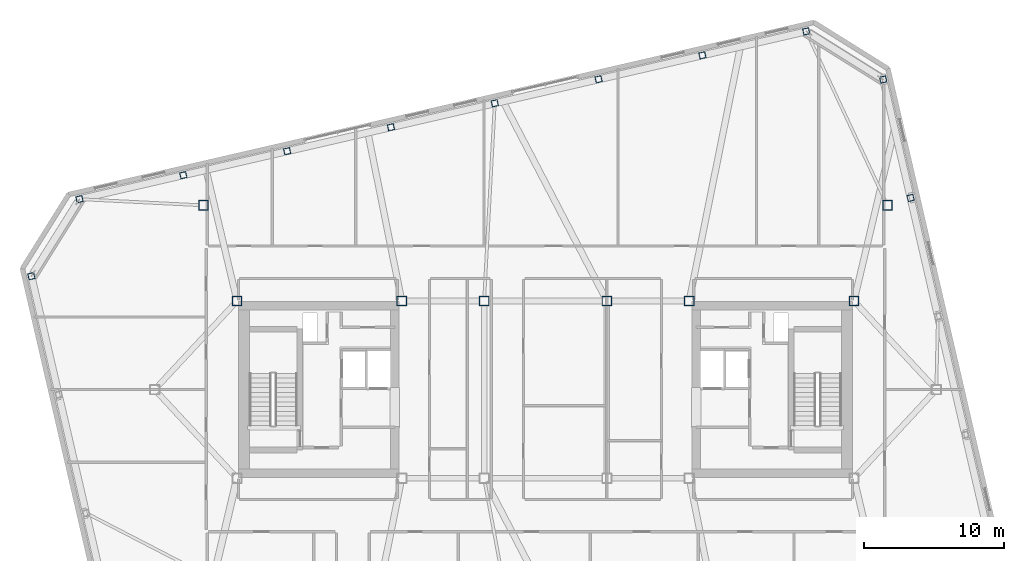
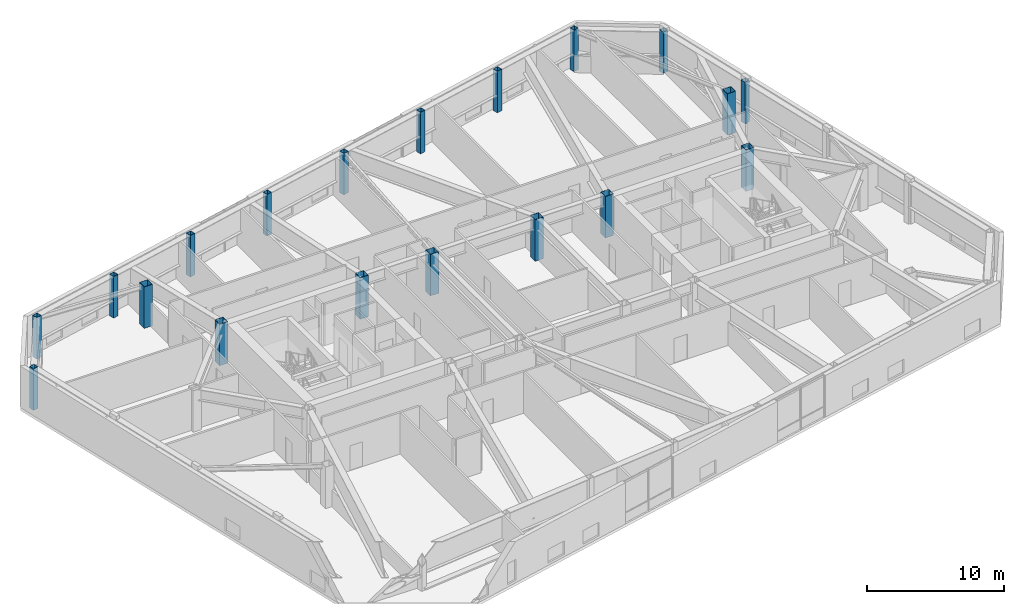
# One storey, part 2 of 23: 19 columns.
"""IFC4 building model written with IfcOpenShell, lengths in metres."""

from ifc_helpers import new_model, si_unit, direction, frame, origin, origin_2d, place, context, subcontext, project, spatial, hollow_rectangle, extrude, material, material_profile, profile_set, type_object, element, save


model = new_model("IFC4")

# Units and contexts
model_context = context("Model", 3, precision=1e-05, world=origin(), true_north=direction((0.0, 1.0)))
body_context = subcontext(model_context, "Body", "Model", "MODEL_VIEW")
ifc_project = project(units=[si_unit("LENGTHUNIT", "METRE"), si_unit("AREAUNIT", "SQUARE_METRE"), si_unit("VOLUMEUNIT", "CUBIC_METRE"), si_unit("PLANEANGLEUNIT", "RADIAN"), si_unit("MASSUNIT", "GRAM", prefix="KILO")], contexts=[model_context])

# Site, building, storey
site_placement = place(None, origin())
site = spatial("IfcSite", under=ifc_project, at=site_placement, CompositionType="ELEMENT")
building_placement = place(site_placement, origin())
building = spatial("IfcBuilding", under=site, at=building_placement, Name="Tavrogorsk Clinical Tower", CompositionType="ELEMENT")
storey_placement = place(building_placement, frame((0.0, 0.0, 329.0)))
storey = spatial("IfcBuildingStorey", under=building, at=storey_placement, Name="L77", CompositionType="ELEMENT", Elevation=329.0)

# Columns
ifc_material_1 = material(Name="Structural steel S440", Category="steel")
ifc_material_profile_1 = material_profile(ifc_material_1, hollow_rectangle(XDim=0.699951171875, YDim=0.699951171875, WallThickness=0.031982421875, at=origin_2d()), Name="BOX-700x700x32")
ifc_profile_set_1 = profile_set([ifc_material_profile_1], Name="Structural steel S440")
column_type_1 = type_object("IfcColumnType", Name="MegaCol_BOX700", PredefinedType="COLUMN", material=ifc_profile_set_1)
for number, where, z_axis, x_axis, name in (
    (1, (-22.10009765625, 6.35009765625, 0.0), (0.0, 0.0, 1.0), (1.0, 0.0, 0.0), "L77 Mega Column MC-W2"),
    (2, (-10.300048828125, 6.35009765625, 0.0), (0.0, 0.0, 1.0), (1.0, 0.0, 0.0), "L77 Mega Column MC-W4"),
    (3, (10.300048828125, 6.35009765625, 0.0), (0.0, 0.0, 1.0), (1.0, 0.0, 0.0), "L77 Mega Column MC-E2"),
    (4, (22.10009765625, 6.35009765625, 0.0), (0.0, 0.0, 1.0), (1.0, 0.0, 0.0), "L77 Mega Column MC-E4"),
    (5, (-4.39990234375, 6.35009765625, 0.0), (0.0, 0.0, 1.0), (1.0, 0.0, 0.0), "L77 Mega Column MC-C3"),
    (6, (4.39990234375, 6.35009765625, 0.0), (0.0, 0.0, 1.0), (1.0, 0.0, 0.0), "L77 Mega Column MC-C4"),
    (7, (-24.5, 13.199951171875, 0.0), (0.0, 0.0, 1.0), (1.0, 0.0, 0.0), "L77 Spine Pilotis Column MC-P3"),
    (8, (24.5, 13.199951171875, 0.0), (0.0, 0.0, 1.0), (1.0, 0.0, 0.0), "L77 Spine Pilotis Column MC-P4"),
):
    element("IfcColumn", number, at=place(storey_placement, frame(where, z_axis=z_axis, x_axis=x_axis)), inside=storey, type_object=column_type_1, Name=name, PredefinedType="COLUMN", context=body_context, shape_type="SweptSolid", body=[
        extrude(hollow_rectangle(XDim=0.699951171875, YDim=0.699951171875, WallThickness=0.031982421875, at=origin_2d()), origin(), (0.0, 0.0, 1.0), 3.679931640625),
    ])
ifc_material_2 = material(Name="Structural steel S440", Category="steel")
ifc_material_profile_2 = material_profile(ifc_material_2, hollow_rectangle(XDim=0.449951171875, YDim=0.449951171875, WallThickness=0.02197265625, at=origin_2d()), Name="BOX-450x450x22")
ifc_profile_set_2 = profile_set([ifc_material_profile_2], Name="Structural steel S440")
column_type_2 = type_object("IfcColumnType", Name="PerimCol_B5_BOX450", PredefinedType="COLUMN", material=ifc_profile_set_2)
for number, where, z_axis, x_axis, name in (
    (9, (18.681640625, 25.666259765625, 0.0), (0.0, 0.0, 1.0), (0.974370064785, 0.224951054344, 0.0), "L77 Perimeter Column N1"),
    (10, (11.2431640625, 23.948974609375, 0.0), (0.0, 0.0, 1.0), (0.974370064785, 0.224951054344, 0.0), "L77 Perimeter Column N2"),
    (11, (3.804443359375, 22.231689453125, 0.0), (0.0, 0.0, 1.0), (0.974370064785, 0.224951054344, 0.0), "L77 Perimeter Column N3"),
    (12, (-3.63427734375, 20.514404296875, 0.0), (0.0, 0.0, 1.0), (0.974370064785, 0.224951054344, 0.0), "L77 Perimeter Column N4"),
    (13, (-11.07275390625, 18.797119140625, 0.0), (0.0, 0.0, 1.0), (0.974370064785, 0.224951054344, 0.0), "L77 Perimeter Column N5"),
    (14, (-18.51123046875, 17.07958984375, 0.0), (0.0, 0.0, 1.0), (0.974370064785, 0.224951054344, 0.0), "L77 Perimeter Column N6"),
    (15, (-25.949951171875, 15.3623046875, 0.0), (0.0, 0.0, 1.0), (0.974370064785, 0.224951054344, 0.0), "L77 Perimeter Column N7"),
    (16, (-33.388671875, 13.64501953125, 0.0), (0.0, 0.0, 1.0), (0.974370064785, 0.224951054344, 0.0), "L77 Perimeter Column N8"),
    (17, (26.157958984375, 13.732177734375, 0.0), (0.0, 0.0, 1.0), (0.974370064785, 0.224951054344, 0.0), "L77 Perimeter Column E4"),
    (18, (24.198486328125, 22.218994140625, 0.0), (0.0, 0.0, 1.0), (0.974370064785, 0.224951054344, 0.0), "L77 Perimeter Column E5"),
    (19, (-36.8359375, 8.128173828125, 0.0), (0.0, 0.0, 1.0), (0.974370064785, 0.224951054344, 0.0), "L77 Perimeter Column W1"),
):
    element("IfcColumn", number, at=place(storey_placement, frame(where, z_axis=z_axis, x_axis=x_axis)), inside=storey, type_object=column_type_2, Name=name, PredefinedType="COLUMN", context=body_context, shape_type="SweptSolid", body=[
        extrude(hollow_rectangle(XDim=0.449951171875, YDim=0.449951171875, WallThickness=0.02197265625, at=origin_2d()), origin(), (0.0, 0.0, 1.0), 3.679931640625),
    ])

save(model, "model.ifc")
